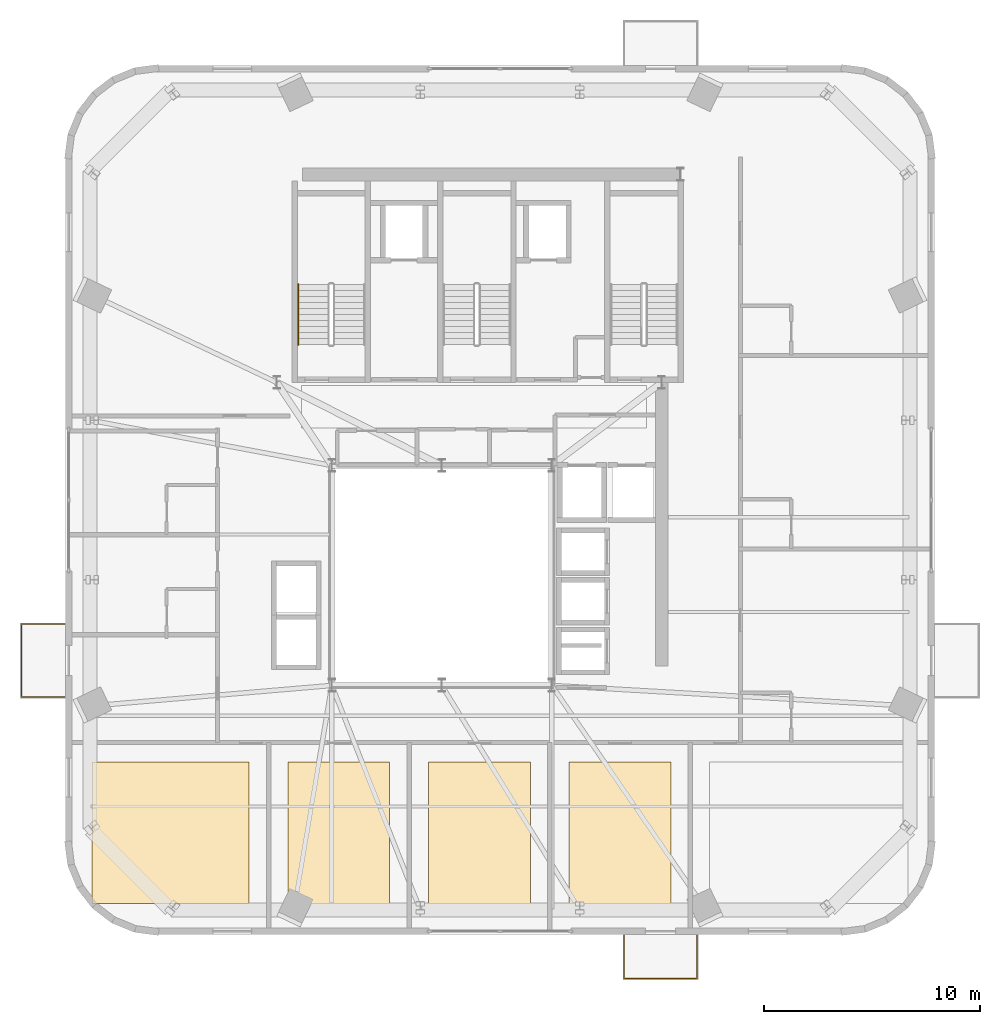
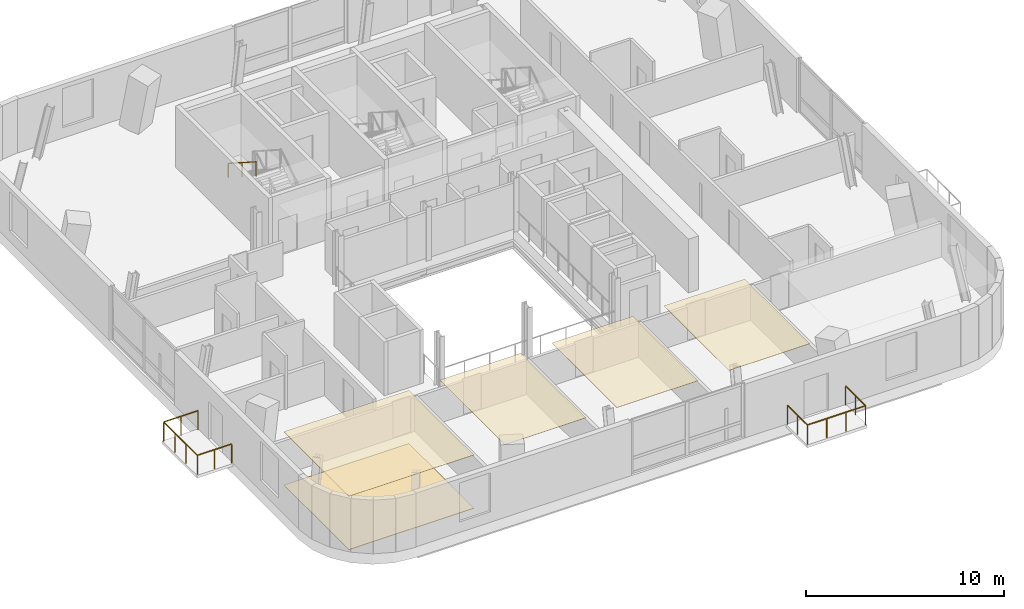
# One storey, part 11 of 13: 5 coverings, 3 railings.
"""IFC4 building model written with IfcOpenShell, lengths in metres."""

from ifc_helpers import new_model, si_unit, direction, frame, origin, origin_2d, place, context, subcontext, project, spatial, polyline, rectangle, outline, extrude, source, transform, mapped, material, layer, layer_set, type_object, element, save


model = new_model("IFC4")

# Units and contexts
model_context = context("Model", 3, precision=1e-05, world=origin(), true_north=direction((0.0, 1.0)))
body_context = subcontext(model_context, "Body", "Model", "MODEL_VIEW")
ifc_project = project(units=[si_unit("LENGTHUNIT", "METRE"), si_unit("AREAUNIT", "SQUARE_METRE"), si_unit("VOLUMEUNIT", "CUBIC_METRE"), si_unit("PLANEANGLEUNIT", "RADIAN"), si_unit("MASSUNIT", "GRAM", prefix="KILO")], contexts=[model_context])

# Site, building, storey
site_placement = place(None, origin())
site = spatial("IfcSite", under=ifc_project, at=site_placement, CompositionType="ELEMENT")
building_placement = place(site_placement, origin())
building = spatial("IfcBuilding", under=site, at=building_placement, Name="Vardaveli Station Tower", CompositionType="ELEMENT")
storey_placement = place(building_placement, frame((0.0, 0.0, 278.25)))
storey = spatial("IfcBuildingStorey", under=building, at=storey_placement, Name="L71", CompositionType="ELEMENT", Elevation=278.25)

# Coverings
ifc_material_1 = material(Name="Perforated acoustic mineral ceiling")
ifc_layer_1 = layer(ifc_material_1, 0.02001953125, Name="Perforated acoustic mineral ceiling")
ifc_layer_set_1 = layer_set([ifc_layer_1], Name="Perforated acoustic mineral ceiling")
covering_type_1 = type_object("IfcCoveringType", Name="COV-CEIL-AC20", PredefinedType="CEILING", material=ifc_layer_set_1)
covering_1_placement = place(storey_placement, frame((0.0, 0.0, 3.284912109375)))
element("IfcCovering", 1, at=covering_1_placement, inside=storey, type_object=covering_type_1, Name="CEIL-L71-1", PredefinedType="CEILING", context=body_context, shape_type="SweptSolid", body=[
    extrude(outline(polyline([(20.090087890625, 6.489990234375), (27.3701171875, 6.489990234375), (27.3701171875, 13.050048828125), (20.090087890625, 13.050048828125), (20.090087890625, 6.489990234375)])), origin(), (0.0, 0.0, 1.0), 0.02001953125),
])
covering_2_placement = place(storey_placement, frame((0.0, 0.0, 3.284912109375)))
element("IfcCovering", 2, at=covering_2_placement, inside=storey, type_object=covering_type_1, Name="CEIL-L71-2", PredefinedType="CEILING", context=body_context, shape_type="SweptSolid", body=[
    extrude(outline(polyline([(29.169921875, 6.489990234375), (33.88671875, 6.489990234375), (33.88671875, 13.050048828125), (29.169921875, 13.050048828125), (29.169921875, 6.489990234375)])), origin(), (0.0, 0.0, 1.0), 0.02001953125),
])
covering_3_placement = place(storey_placement, frame((0.0, 0.0, 3.284912109375)))
element("IfcCovering", 3, at=covering_3_placement, inside=storey, type_object=covering_type_1, Name="CEIL-L71-3", PredefinedType="CEILING", context=body_context, shape_type="SweptSolid", body=[
    extrude(outline(polyline([(35.686767578125, 6.489990234375), (40.4033203125, 6.489990234375), (40.4033203125, 13.050048828125), (35.686767578125, 13.050048828125), (35.686767578125, 6.489990234375)])), origin(), (0.0, 0.0, 1.0), 0.02001953125),
])
covering_4_placement = place(storey_placement, frame((0.0, 0.0, 3.284912109375)))
element("IfcCovering", 4, at=covering_4_placement, inside=storey, type_object=covering_type_1, Name="CEIL-L71-4", PredefinedType="CEILING", context=body_context, shape_type="SweptSolid", body=[
    extrude(outline(polyline([(42.203369140625, 6.489990234375), (46.919921875, 6.489990234375), (46.919921875, 13.050048828125), (42.203369140625, 13.050048828125), (42.203369140625, 6.489990234375)])), origin(), (0.0, 0.0, 1.0), 0.02001953125),
])
ifc_material_2 = material(Name="Honed Caucasian basalt and travertine flooring", Category="masonry")
ifc_layer_2 = layer(ifc_material_2, 0.030029296875, Name="Honed Caucasian basalt and travertine flooring")
ifc_layer_set_2 = layer_set([ifc_layer_2], Name="Honed Caucasian basalt and travertine flooring")
covering_type_2 = type_object("IfcCoveringType", Name="COV-FLOOR-ST30", PredefinedType="FLOORING", material=ifc_layer_set_2)
covering_5_placement = place(storey_placement, origin())
element("IfcCovering", 5, at=covering_5_placement, inside=storey, type_object=covering_type_2, Name="FLR-L71-1", PredefinedType="FLOORING", context=body_context, shape_type="SweptSolid", body=[
    extrude(outline(polyline([(20.090087890625, 6.489990234375), (27.3701171875, 6.489990234375), (27.3701171875, 13.050048828125), (20.090087890625, 13.050048828125), (20.090087890625, 6.489990234375)])), origin(), (0.0, 0.0, 1.0), 0.030029296875),
])

# Railings
ifc_material_3 = material(Name="Laminated glass and stainless steel balustrade", Category="steel")
railing_type_1 = type_object("IfcRailingType", Name="RL-BAL-1200", PredefinedType="BALUSTRADE", material=ifc_material_3)
shared_shape_1 = source(origin(), body_context, "Body", "SweptSolid", [
    extrude(rectangle(XDim=0.048095703125, YDim=0.048095703125, at=origin_2d()), frame((0.0, 0.0, 1.17578125), z_axis=(-1.0, 0.0, 0.0), x_axis=(0.0, -1.0, 0.0)), (0.0, 0.0, 1.0), 2.0),
    extrude(rectangle(XDim=0.048095703125, YDim=0.048095703125, at=origin_2d()), frame((-2.0, 0.0, 1.17578125), z_axis=(0.0, 1.0, 0.0), x_axis=(-1.0, 0.0, 0.0)), (0.0, 0.0, 1.0), 3.3798828125),
    extrude(rectangle(XDim=0.048095703125, YDim=0.048095703125, at=origin_2d()), frame((-2.0, 3.3798828125, 1.17578125), z_axis=(1.0, 0.0, 0.0), x_axis=(0.0, 1.0, 0.0)), (0.0, 0.0, 1.0), 2.0),
    extrude(rectangle(XDim=0.0419921875, YDim=0.0419921875, at=origin_2d()), origin(), (0.0, 0.0, 1.0), 1.15185546875),
    extrude(rectangle(XDim=0.0419921875, YDim=0.0419921875, at=origin_2d()), frame((-1.0, 0.0, 0.0)), (0.0, 0.0, 1.0), 1.15185546875),
    extrude(rectangle(XDim=0.0419921875, YDim=0.0419921875, at=origin_2d()), frame((-2.0, 0.0, 0.0)), (0.0, 0.0, 1.0), 1.15185546875),
    extrude(rectangle(XDim=0.0419921875, YDim=0.0419921875, at=origin_2d()), frame((-2.0, 1.126708984375, 0.0)), (0.0, 0.0, 1.0), 1.15185546875),
    extrude(rectangle(XDim=0.0419921875, YDim=0.0419921875, at=origin_2d()), frame((-2.0, 2.253173828125, 0.0)), (0.0, 0.0, 1.0), 1.15185546875),
    extrude(rectangle(XDim=0.0419921875, YDim=0.0419921875, at=origin_2d()), frame((-2.0, 3.3798828125, 0.0)), (0.0, 0.0, 1.0), 1.15185546875),
    extrude(rectangle(XDim=0.0419921875, YDim=0.0419921875, at=origin_2d()), frame((-1.0, 3.3798828125, 0.0)), (0.0, 0.0, 1.0), 1.15185546875),
    extrude(rectangle(XDim=0.0419921875, YDim=0.0419921875, at=origin_2d()), frame((0.0, 3.3798828125, 0.0)), (0.0, 0.0, 1.0), 1.15185546875),
])
railing_1_placement = place(storey_placement, frame((18.800048828125, 16.0625, 0.0)))
element("IfcRailing", 6, at=railing_1_placement, inside=storey, type_object=railing_type_1, Name="RL-LOG-L71-03", PredefinedType="BALUSTRADE", context=body_context, shape_type="MappedRepresentation", body=[
    mapped(shared_shape_1, transform((0.0, 0.0, 0.0), scale=1.0)),
])
shared_shape_2 = source(origin(), body_context, "Body", "SweptSolid", [
    extrude(rectangle(XDim=0.048095703125, YDim=0.048095703125, at=origin_2d()), frame((0.0, 0.0, 1.17578125), z_axis=(0.0, -1.0, 0.0), x_axis=(1.0, 0.0, 0.0)), (0.0, 0.0, 1.0), 2.0),
    extrude(rectangle(XDim=0.048095703125, YDim=0.048095703125, at=origin_2d()), frame((0.0, -2.0, 1.17578125), z_axis=(1.0, 0.0, 0.0), x_axis=(0.0, 1.0, 0.0)), (0.0, 0.0, 1.0), 3.380126953125),
    extrude(rectangle(XDim=0.048095703125, YDim=0.048095703125, at=origin_2d()), frame((3.380126953125, -2.0, 1.17578125), z_axis=(0.0, 1.0, 0.0), x_axis=(-1.0, 0.0, 0.0)), (0.0, 0.0, 1.0), 2.0),
    extrude(rectangle(XDim=0.0419921875, YDim=0.0419921875, at=origin_2d()), origin(), (0.0, 0.0, 1.0), 1.15185546875),
    extrude(rectangle(XDim=0.0419921875, YDim=0.0419921875, at=origin_2d()), frame((0.0, -1.0, 0.0)), (0.0, 0.0, 1.0), 1.15185546875),
    extrude(rectangle(XDim=0.0419921875, YDim=0.0419921875, at=origin_2d()), frame((0.0, -2.0, 0.0)), (0.0, 0.0, 1.0), 1.15185546875),
    extrude(rectangle(XDim=0.0419921875, YDim=0.0419921875, at=origin_2d()), frame((1.126708984375, -2.0, 0.0)), (0.0, 0.0, 1.0), 1.15185546875),
    extrude(rectangle(XDim=0.0419921875, YDim=0.0419921875, at=origin_2d()), frame((2.25341796875, -2.0, 0.0)), (0.0, 0.0, 1.0), 1.15185546875),
    extrude(rectangle(XDim=0.0419921875, YDim=0.0419921875, at=origin_2d()), frame((3.380126953125, -2.0, 0.0)), (0.0, 0.0, 1.0), 1.15185546875),
    extrude(rectangle(XDim=0.0419921875, YDim=0.0419921875, at=origin_2d()), frame((3.380126953125, -1.0, 0.0)), (0.0, 0.0, 1.0), 1.15185546875),
    extrude(rectangle(XDim=0.0419921875, YDim=0.0419921875, at=origin_2d()), frame((3.380126953125, 0.0, 0.0)), (0.0, 0.0, 1.0), 1.15185546875),
])
railing_2_placement = place(storey_placement, frame((44.757568359375, 5.0, 0.0)))
element("IfcRailing", 7, at=railing_2_placement, inside=storey, type_object=railing_type_1, Name="RL-LOG-L71-01", PredefinedType="BALUSTRADE", context=body_context, shape_type="MappedRepresentation", body=[
    mapped(shared_shape_2, transform((0.0, 0.0, 0.0), scale=1.0)),
])
ifc_material_4 = material(Name="Brushed AISI 316 stainless steel", Category="steel")
railing_type_2 = type_object("IfcRailingType", Name="RL-HAND-900", PredefinedType="HANDRAIL", material=ifc_material_4)
shared_shape_3 = source(origin(), body_context, "Body", "SweptSolid", [
    extrude(rectangle(XDim=0.048095703125, YDim=0.048095703125, at=origin_2d()), frame((0.0, 0.0, 0.8759765625), z_axis=(0.0, -0.841809871826, 0.539774156196), x_axis=(1.0, 0.0, 0.0)), (0.0, 0.0, 1.0), 3.326171875),
    extrude(rectangle(XDim=0.0419921875, YDim=0.0419921875, at=origin_2d()), origin(), (0.0, 0.0, 1.0), 0.851806640625),
    extrude(rectangle(XDim=0.0419921875, YDim=0.0419921875, at=origin_2d()), frame((0.0, -1.39990234375, 0.897705078125)), (0.0, 0.0, 1.0), 0.851806640625),
    extrude(rectangle(XDim=0.0419921875, YDim=0.0419921875, at=origin_2d()), frame((0.0, -2.800048828125, 1.79541015625)), (0.0, 0.0, 1.0), 0.851806640625),
])
railing_3_placement = place(storey_placement, frame((29.64990234375, 35.199951171875, 2.154541015625)))
element("IfcRailing", 8, at=railing_3_placement, inside=storey, type_object=railing_type_2, Name="L71 ST-1 stair handrail 2", PredefinedType="HANDRAIL", context=body_context, shape_type="MappedRepresentation", body=[
    mapped(shared_shape_3, transform((0.0, 0.0, 0.0), scale=1.0)),
])

save(model, "model.ifc")
